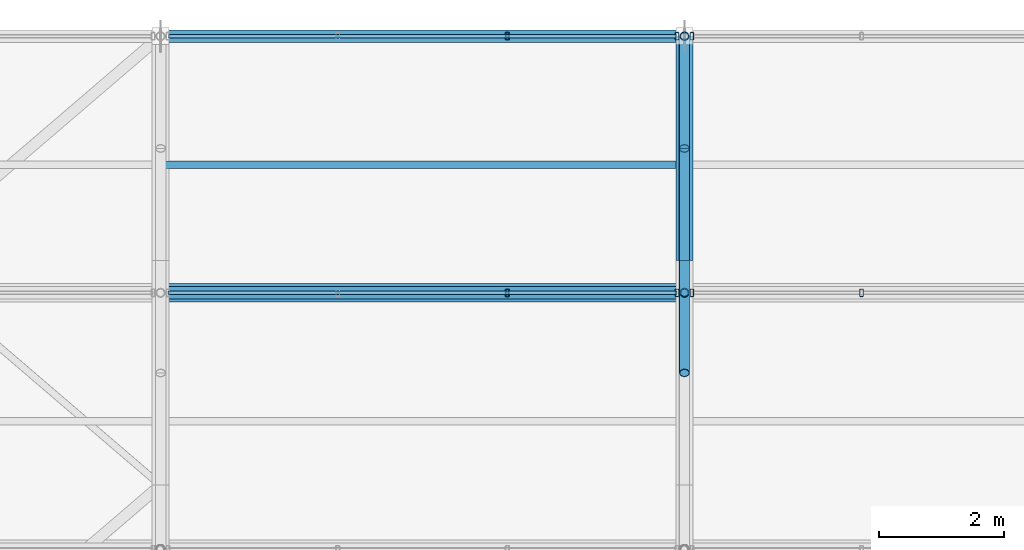
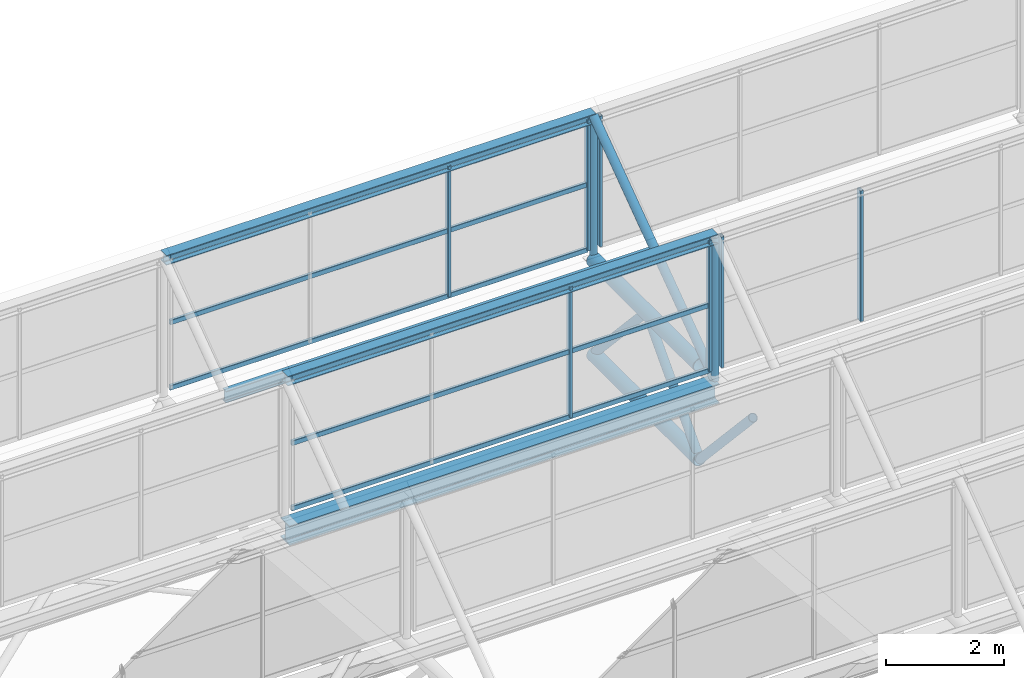
# One storey, part 67 of 134: 21 members, 4 beams, 4 elements without a shape of their own.
"""IFC4 building model written with IfcOpenShell, lengths in metres."""

from ifc_helpers import new_model, si_unit, derived_unit, direction, frame, origin, origin_2d, place, context, subcontext, project, spatial, hollow_rectangle, hollow_circle, i_section, extrude, material, material_profile, profile_set, type_object, element, aggregate, save


model = new_model("IFC4")

# Units and contexts
model_context = context("Model", 3, precision=1e-05, world=origin(), true_north=direction((0.0, 1.0)))
body_context = subcontext(model_context, "Body", "Model", "MODEL_VIEW")
ifc_project = project(units=[si_unit("LENGTHUNIT", "METRE"), si_unit("AREAUNIT", "SQUARE_METRE"), si_unit("VOLUMEUNIT", "CUBIC_METRE"), si_unit("PLANEANGLEUNIT", "RADIAN"), si_unit("MASSUNIT", "GRAM", prefix="KILO"), derived_unit("THERMALTRANSMITTANCEUNIT", [(si_unit("MASSUNIT", "GRAM", prefix="KILO"), 1), (si_unit("TIMEUNIT", "SECOND"), -3), (si_unit("THERMODYNAMICTEMPERATUREUNIT", "KELVIN"), -1)])], contexts=[model_context])

# Site, building, storey
site_placement = place(None, origin())
site = spatial("IfcSite", under=ifc_project, at=site_placement, CompositionType="ELEMENT")
building_placement = place(site_placement, origin())
building = spatial("IfcBuilding", under=site, at=building_placement, Name="Kharveza Railside Sports Centre", CompositionType="ELEMENT")
storey_placement = place(building_placement, frame((0.0, 0.0, 12.89990234375)))
storey = spatial("IfcBuildingStorey", under=building, at=storey_placement, Name="L03", CompositionType="ELEMENT", Elevation=12.89990234375)

# Beams
ifc_material_1 = material(Name="Steel S355J2", Category="steel")
ifc_material_profile_1 = material_profile(ifc_material_1, i_section(OverallWidth=0.300048828125, OverallDepth=0.39990234375, WebThickness=0.013427734375, FlangeThickness=0.02392578125, FilletRadius=0.027099609375, at=origin_2d()), Name="HEB 400")
ifc_profile_set_1 = profile_set([ifc_material_profile_1], Name="Steel S355J2")
beam_type_1 = type_object("IfcBeamType", Name="BM-G07", PredefinedType="T_BEAM", material=ifc_profile_set_1)
beam_1_placement = place(storey_placement, frame((100.800048828125, 103.8857421875, 1.760009765625), z_axis=(1.0, 0.0, 0.0), x_axis=(0.0, 1.0, 0.0)))
element("IfcBeam", 1, at=beam_1_placement, inside=storey, type_object=beam_type_1, Name="BM-V2SAW-VAL-7-2", PredefinedType="T_BEAM", context=body_context, shape_type="SweptSolid", body=[
    extrude(i_section(OverallWidth=0.300048828125, OverallDepth=0.39990234375, WebThickness=0.013427734375, FlangeThickness=0.02392578125, FilletRadius=0.027099609375, at=origin_2d()), origin(), (0.0, 0.0, 1.0), 8.39990234375),
])
ifc_material_2 = material(Name="Steel S275JR", Category="steel")
ifc_material_profile_2 = material_profile(ifc_material_2, i_section(OverallWidth=0.1201171875, OverallDepth=0.239990234375, WebThickness=0.006103515625, FlangeThickness=0.009765625, FilletRadius=0.014892578125, at=origin_2d()), Name="IPE 240")
ifc_profile_set_2 = profile_set([ifc_material_profile_2], Name="Steel S275JR")
beam_type_2 = type_object("IfcBeamType", Name="BM-J01", PredefinedType="JOIST", material=ifc_profile_set_2)
beam_2_placement = place(storey_placement, frame((100.800048828125, 105.94287109375, 3.320068359375), z_axis=(1.0, 0.0, 0.0), x_axis=(0.0, 1.0, 0.0)))
element("IfcBeam", 2, at=beam_2_placement, inside=storey, type_object=beam_type_2, Name="BM-V2SAW-PUR-7-2", PredefinedType="JOIST", context=body_context, shape_type="SweptSolid", body=[
    extrude(i_section(OverallWidth=0.1201171875, OverallDepth=0.239990234375, WebThickness=0.006103515625, FlangeThickness=0.009765625, FilletRadius=0.014892578125, at=origin_2d()), origin(), (0.0, 0.0, 1.0), 8.39990234375),
])
ifc_material_profile_3 = material_profile(ifc_material_2, i_section(OverallWidth=0.199951171875, OverallDepth=0.199951171875, WebThickness=0.009033203125, FlangeThickness=0.014892578125, FilletRadius=0.01806640625, at=origin_2d()), Name="HEB 200")
ifc_profile_set_3 = profile_set([ifc_material_profile_3], Name="Steel S275JR")
beam_type_3 = type_object("IfcBeamType", Name="BM-J05", PredefinedType="JOIST", material=ifc_profile_set_3)
for number, where, z_axis, x_axis, name in (
    (3, (100.800048828125, 103.8857421875, 4.920166015625), (1.0, 0.0, 0.0), (0.0, 1.0, 0.0), "BM-V2SAW-RDG-6-2"),
    (4, (100.800048828125, 108.0, 4.920166015625), (1.0, 0.0, 0.0), (0.0, 1.0, 0.0), "BM-V2SAW-RDG-7-2"),
):
    element("IfcBeam", number, at=place(storey_placement, frame(where, z_axis=z_axis, x_axis=x_axis)), inside=storey, type_object=beam_type_3, Name=name, PredefinedType="JOIST", context=body_context, shape_type="SweptSolid", body=[
        extrude(i_section(OverallWidth=0.199951171875, OverallDepth=0.199951171875, WebThickness=0.009033203125, FlangeThickness=0.014892578125, FilletRadius=0.01806640625, at=origin_2d()), origin(), (0.0, 0.0, 1.0), 8.39990234375),
    ])

# Curtain wall, members
ifc_material_3 = material(Name="Low-E solar-control laminated glass", Category="glass")
curtain_wall_type = type_object("IfcCurtainWallType", Name="CW-NL02", PredefinedType="NOTDEFINED", material=ifc_material_3)
curtain_wall_1_placement = place(storey_placement, origin())
curtain_wall_1 = element("IfcCurtainWall", 5, at=curtain_wall_1_placement, inside=storey, type_object=curtain_wall_type, Name="CW-V2NL-6-2", PredefinedType="NOTDEFINED")
ifc_material_4 = material(Name="Anodised aluminium 6063-T6", Category="aluminium")
ifc_material_profile_4 = material_profile(ifc_material_4, hollow_rectangle(XDim=0.06005859375, YDim=0.1201171875, WallThickness=0.0048828125, InnerFilletRadius=0.0048828125, OuterFilletRadius=0.010009765625, at=origin_2d()), Name="RHS 60x120x5.0")
ifc_profile_set_4 = profile_set([ifc_material_profile_4], Name="Anodised aluminium 6063-T6")
member_type_1 = type_object("IfcMemberType", Name="CW-ML05", PredefinedType="MULLION", material=ifc_profile_set_4)
member_1_placement = place(storey_placement, frame((106.360107421875, 103.8857421875, 2.2001953125), z_axis=(0.0, 0.0, 1.0), x_axis=(1.0, 0.0, 0.0)))
member_1 = element("IfcMember", 6, at=member_1_placement, type_object=member_type_1, Name="CW-V2NL-6-2-ML3", PredefinedType="MULLION", context=body_context, shape_type="SweptSolid", body=[
    extrude(hollow_rectangle(XDim=0.06005859375, YDim=0.1201171875, WallThickness=0.0048828125, InnerFilletRadius=0.0048828125, OuterFilletRadius=0.010009765625, at=origin_2d()), origin(), (0.0, 0.0, 1.0), 2.699951171875),
])
member_2_placement = place(storey_placement, frame((109.080078125, 103.8857421875, 2.2001953125), z_axis=(0.0, 0.0, 1.0), x_axis=(1.0, 0.0, 0.0)))
member_2 = element("IfcMember", 7, at=member_2_placement, type_object=member_type_1, Name="CW-V2NL-6-2-ML4", PredefinedType="MULLION", context=body_context, shape_type="SweptSolid", body=[
    extrude(hollow_rectangle(XDim=0.06005859375, YDim=0.1201171875, WallThickness=0.0048828125, InnerFilletRadius=0.0048828125, OuterFilletRadius=0.010009765625, at=origin_2d()), origin(), (0.0, 0.0, 1.0), 2.699951171875),
])

curtain_wall_2_placement = place(storey_placement, origin())
curtain_wall_2 = element("IfcCurtainWall", 8, at=curtain_wall_2_placement, inside=storey, type_object=curtain_wall_type, Name="CW-V2NL-6-3", PredefinedType="NOTDEFINED")
member_3_placement = place(storey_placement, frame((109.320068359375, 103.8857421875, 2.2001953125), z_axis=(0.0, 0.0, 1.0), x_axis=(1.0, 0.0, 0.0)))
member_3 = element("IfcMember", 9, at=member_3_placement, type_object=member_type_1, Name="CW-V2NL-6-3-ML1", PredefinedType="MULLION", context=body_context, shape_type="SweptSolid", body=[
    extrude(hollow_rectangle(XDim=0.06005859375, YDim=0.1201171875, WallThickness=0.0048828125, InnerFilletRadius=0.0048828125, OuterFilletRadius=0.010009765625, at=origin_2d()), origin(), (0.0, 0.0, 1.0), 2.699951171875),
])
member_4_placement = place(storey_placement, frame((112.0400390625, 103.8857421875, 2.2001953125), z_axis=(0.0, 0.0, 1.0), x_axis=(1.0, 0.0, 0.0)))
member_4 = element("IfcMember", 10, at=member_4_placement, type_object=member_type_1, Name="CW-V2NL-6-3-ML2", PredefinedType="MULLION", context=body_context, shape_type="SweptSolid", body=[
    extrude(hollow_rectangle(XDim=0.06005859375, YDim=0.1201171875, WallThickness=0.0048828125, InnerFilletRadius=0.0048828125, OuterFilletRadius=0.010009765625, at=origin_2d()), origin(), (0.0, 0.0, 1.0), 2.699951171875),
])
aggregate(curtain_wall_2, [member_3, member_4])

curtain_wall_3_placement = place(storey_placement, origin())
curtain_wall_3 = element("IfcCurtainWall", 11, at=curtain_wall_3_placement, inside=storey, type_object=curtain_wall_type, Name="CW-V2NL-7-2", PredefinedType="NOTDEFINED")
member_5_placement = place(storey_placement, frame((106.360107421875, 108.0, 2.2001953125), z_axis=(0.0, 0.0, 1.0), x_axis=(1.0, 0.0, 0.0)))
member_5 = element("IfcMember", 12, at=member_5_placement, type_object=member_type_1, Name="CW-V2NL-7-2-ML3", PredefinedType="MULLION", context=body_context, shape_type="SweptSolid", body=[
    extrude(hollow_rectangle(XDim=0.06005859375, YDim=0.1201171875, WallThickness=0.0048828125, InnerFilletRadius=0.0048828125, OuterFilletRadius=0.010009765625, at=origin_2d()), origin(), (0.0, 0.0, 1.0), 2.699951171875),
])
member_6_placement = place(storey_placement, frame((109.080078125, 108.0, 2.2001953125), z_axis=(0.0, 0.0, 1.0), x_axis=(1.0, 0.0, 0.0)))
member_6 = element("IfcMember", 13, at=member_6_placement, type_object=member_type_1, Name="CW-V2NL-7-2-ML4", PredefinedType="MULLION", context=body_context, shape_type="SweptSolid", body=[
    extrude(hollow_rectangle(XDim=0.06005859375, YDim=0.1201171875, WallThickness=0.0048828125, InnerFilletRadius=0.0048828125, OuterFilletRadius=0.010009765625, at=origin_2d()), origin(), (0.0, 0.0, 1.0), 2.699951171875),
])

# Curtain wall, member
curtain_wall_4_placement = place(storey_placement, origin())
curtain_wall_4 = element("IfcCurtainWall", 14, at=curtain_wall_4_placement, inside=storey, type_object=curtain_wall_type, Name="CW-V2NL-7-3", PredefinedType="NOTDEFINED")
member_7_placement = place(storey_placement, frame((109.320068359375, 108.0, 2.2001953125), z_axis=(0.0, 0.0, 1.0), x_axis=(1.0, 0.0, 0.0)))
member_7 = element("IfcMember", 15, at=member_7_placement, type_object=member_type_1, Name="CW-V2NL-7-3-ML1", PredefinedType="MULLION", context=body_context, shape_type="SweptSolid", body=[
    extrude(hollow_rectangle(XDim=0.06005859375, YDim=0.1201171875, WallThickness=0.0048828125, InnerFilletRadius=0.0048828125, OuterFilletRadius=0.010009765625, at=origin_2d()), origin(), (0.0, 0.0, 1.0), 2.699951171875),
])
aggregate(curtain_wall_4, [member_7])

# Member
ifc_material_profile_5 = material_profile(ifc_material_4, hollow_rectangle(XDim=0.06005859375, YDim=0.10009765625, WallThickness=0.00390625, InnerFilletRadius=0.00390625, OuterFilletRadius=0.008056640625, at=origin_2d()), Name="RHS 60x100x4.0")
ifc_profile_set_5 = profile_set([ifc_material_profile_5], Name="Anodised aluminium 6063-T6")
member_type_2 = type_object("IfcMemberType", Name="CW-TR05", PredefinedType="USERDEFINED", material=ifc_profile_set_5)
member_8_placement = place(storey_placement, frame((100.919921875, 103.8857421875, 2.2001953125), z_axis=(1.0, 0.0, 0.0), x_axis=(0.0, 1.0, 0.0)))
member_8 = element("IfcMember", 16, at=member_8_placement, type_object=member_type_2, Name="CW-V2NL-6-2-TR1", ObjectType="TRANSOM", PredefinedType="USERDEFINED", context=body_context, shape_type="SweptSolid", body=[
    extrude(hollow_rectangle(XDim=0.06005859375, YDim=0.10009765625, WallThickness=0.00390625, InnerFilletRadius=0.00390625, OuterFilletRadius=0.008056640625, at=origin_2d()), origin(), (0.0, 0.0, 1.0), 8.16015625),
])

member_9_placement = place(storey_placement, frame((100.919921875, 103.8857421875, 3.550048828125), z_axis=(1.0, 0.0, 0.0), x_axis=(0.0, 1.0, 0.0)))
member_9 = element("IfcMember", 17, at=member_9_placement, type_object=member_type_2, Name="CW-V2NL-6-2-TR2", ObjectType="TRANSOM", PredefinedType="USERDEFINED", context=body_context, shape_type="SweptSolid", body=[
    extrude(hollow_rectangle(XDim=0.06005859375, YDim=0.10009765625, WallThickness=0.00390625, InnerFilletRadius=0.00390625, OuterFilletRadius=0.008056640625, at=origin_2d()), origin(), (0.0, 0.0, 1.0), 8.16015625),
])

member_10_placement = place(storey_placement, frame((100.919921875, 103.8857421875, 4.900146484375), z_axis=(1.0, 0.0, 0.0), x_axis=(0.0, 1.0, 0.0)))
member_10 = element("IfcMember", 18, at=member_10_placement, type_object=member_type_2, Name="CW-V2NL-6-2-TR3", ObjectType="TRANSOM", PredefinedType="USERDEFINED", context=body_context, shape_type="SweptSolid", body=[
    extrude(hollow_rectangle(XDim=0.06005859375, YDim=0.10009765625, WallThickness=0.00390625, InnerFilletRadius=0.00390625, OuterFilletRadius=0.008056640625, at=origin_2d()), origin(), (0.0, 0.0, 1.0), 8.16015625),
])

aggregate(curtain_wall_1, [member_1, member_2, member_8, member_9, member_10])

member_11_placement = place(storey_placement, frame((100.919921875, 108.0, 2.2001953125), z_axis=(1.0, 0.0, 0.0), x_axis=(0.0, 1.0, 0.0)))
member_11 = element("IfcMember", 19, at=member_11_placement, type_object=member_type_2, Name="CW-V2NL-7-2-TR1", ObjectType="TRANSOM", PredefinedType="USERDEFINED", context=body_context, shape_type="SweptSolid", body=[
    extrude(hollow_rectangle(XDim=0.06005859375, YDim=0.10009765625, WallThickness=0.00390625, InnerFilletRadius=0.00390625, OuterFilletRadius=0.008056640625, at=origin_2d()), origin(), (0.0, 0.0, 1.0), 8.16015625),
])

member_12_placement = place(storey_placement, frame((100.919921875, 108.0, 3.550048828125), z_axis=(1.0, 0.0, 0.0), x_axis=(0.0, 1.0, 0.0)))
member_12 = element("IfcMember", 20, at=member_12_placement, type_object=member_type_2, Name="CW-V2NL-7-2-TR2", ObjectType="TRANSOM", PredefinedType="USERDEFINED", context=body_context, shape_type="SweptSolid", body=[
    extrude(hollow_rectangle(XDim=0.06005859375, YDim=0.10009765625, WallThickness=0.00390625, InnerFilletRadius=0.00390625, OuterFilletRadius=0.008056640625, at=origin_2d()), origin(), (0.0, 0.0, 1.0), 8.16015625),
])

member_13_placement = place(storey_placement, frame((100.919921875, 108.0, 4.900146484375), z_axis=(1.0, 0.0, 0.0), x_axis=(0.0, 1.0, 0.0)))
member_13 = element("IfcMember", 21, at=member_13_placement, type_object=member_type_2, Name="CW-V2NL-7-2-TR3", ObjectType="TRANSOM", PredefinedType="USERDEFINED", context=body_context, shape_type="SweptSolid", body=[
    extrude(hollow_rectangle(XDim=0.06005859375, YDim=0.10009765625, WallThickness=0.00390625, InnerFilletRadius=0.00390625, OuterFilletRadius=0.008056640625, at=origin_2d()), origin(), (0.0, 0.0, 1.0), 8.16015625),
])

aggregate(curtain_wall_3, [member_5, member_6, member_11, member_12, member_13])

# Members
ifc_material_profile_6 = material_profile(ifc_material_1, hollow_circle(Radius=0.136474609375, WallThickness=0.01416015625, at=origin_2d()), Name="CHS 273.0x14.2")
ifc_profile_set_6 = profile_set([ifc_material_profile_6], Name="Steel S355J2")
member_type_3 = type_object("IfcMemberType", Name="MB-CH03", PredefinedType="CHORD", material=ifc_profile_set_6)
for number, where, z_axis, x_axis, name in (
    (22, (109.199951171875, 104.39990234375, 0.0), (0.0, 1.0, 0.0), (-1.0, 0.0, 0.0), "MB-V2TR-BC-3-8"),
    (23, (109.199951171875, 104.39990234375, 1.9501953125), (0.0, 1.0, 0.0), (-1.0, 0.0, 0.0), "MB-V2TR-TC-3-8"),
):
    element("IfcMember", number, at=place(storey_placement, frame(where, z_axis=z_axis, x_axis=x_axis)), inside=storey, type_object=member_type_3, Name=name, PredefinedType="CHORD", context=body_context, shape_type="SweptSolid", body=[
        extrude(hollow_circle(Radius=0.136474609375, WallThickness=0.01416015625, at=origin_2d()), origin(), (0.0, 0.0, 1.0), 3.60009765625),
    ])
ifc_material_profile_7 = material_profile(ifc_material_1, hollow_circle(Radius=0.084228515625, WallThickness=0.010009765625, at=origin_2d()), Name="CHS 168.3x10.0")
ifc_profile_set_7 = profile_set([ifc_material_profile_7], Name="Steel S355J2")
member_type_4 = type_object("IfcMemberType", Name="MB-ST03", PredefinedType="STRUT", material=ifc_profile_set_7)
member_14_placement = place(storey_placement, frame((109.199951171875, 102.60009765625, 1.9501953125), z_axis=(0.0, 0.678203679629, -0.734873981671), x_axis=(-1.0, 0.0, 0.0)))
element("IfcMember", 24, at=member_14_placement, inside=storey, type_object=member_type_4, Name="MB-V2TR-D2-3-7", PredefinedType="STRUT", context=body_context, shape_type="SweptSolid", body=[
    extrude(hollow_circle(Radius=0.084228515625, WallThickness=0.010009765625, at=origin_2d()), origin(), (0.0, 0.0, 1.0), 2.65380859375),
])
for number, where, z_axis, x_axis, name in (
    (25, (109.199951171875, 104.39990234375, 0.0), (0.0, 0.67825335715, 0.734828131956), (-1.0, 0.0, 0.0), "MB-V2TR-D1-3-8"),
    (26, (109.199951171875, 106.199951171875, 1.9501953125), (0.0, 0.67825335715, -0.734828131956), (-1.0, 0.0, 0.0), "MB-V2TR-D2-3-8"),
):
    element("IfcMember", number, at=place(storey_placement, frame(where, z_axis=z_axis, x_axis=x_axis)), inside=storey, type_object=member_type_4, Name=name, PredefinedType="STRUT", context=body_context, shape_type="SweptSolid", body=[
        extrude(hollow_circle(Radius=0.084228515625, WallThickness=0.010009765625, at=origin_2d()), origin(), (0.0, 0.0, 1.0), 2.654052734375),
    ])
member_15_placement = place(storey_placement, frame((109.199951171875, 103.8857421875, 1.9501953125), z_axis=(0.0, 0.810813691418, 0.585304329225), x_axis=(-1.0, 0.0, 0.0)))
element("IfcMember", 27, at=member_15_placement, inside=storey, type_object=member_type_4, Name="MB-V2SAW-RFT-7-3", PredefinedType="STRUT", context=body_context, shape_type="SweptSolid", body=[
    extrude(hollow_circle(Radius=0.084228515625, WallThickness=0.010009765625, at=origin_2d()), origin(), (0.0, 0.0, 1.0), 5.07421875),
])
ifc_material_profile_8 = material_profile(ifc_material_1, hollow_circle(Radius=0.06982421875, WallThickness=0.008056640625, at=origin_2d()), Name="CHS 139.7x8.0")
ifc_profile_set_8 = profile_set([ifc_material_profile_8], Name="Steel S355J2")
member_type_5 = type_object("IfcMemberType", Name="MB-ST04", PredefinedType="STRUT", material=ifc_profile_set_8)
for number, where, z_axis, x_axis, name in (
    (28, (109.199951171875, 103.8857421875, 1.9501953125), (0.0, 0.0, 1.0), (1.0, 0.0, 0.0), "MB-V2SAW-PST-6-3"),
    (29, (109.199951171875, 108.0, 1.9501953125), (0.0, 0.0, 1.0), (1.0, 0.0, 0.0), "MB-V2SAW-PST-7-3"),
):
    element("IfcMember", number, at=place(storey_placement, frame(where, z_axis=z_axis, x_axis=x_axis)), inside=storey, type_object=member_type_5, Name=name, PredefinedType="STRUT", context=body_context, shape_type="SweptSolid", body=[
        extrude(hollow_circle(Radius=0.06982421875, WallThickness=0.008056640625, at=origin_2d()), origin(), (0.0, 0.0, 1.0), 2.969970703125),
    ])

save(model, "model.ifc")
